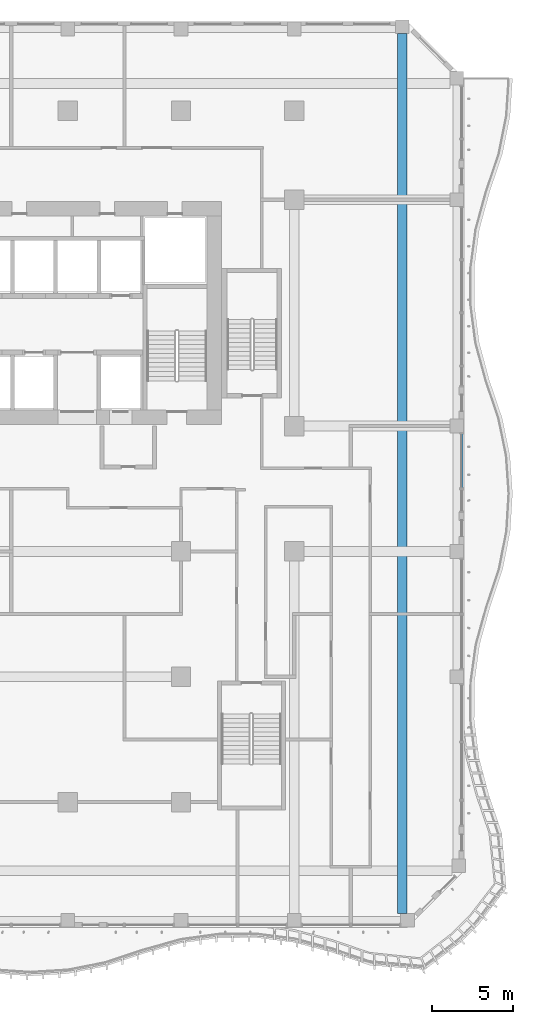
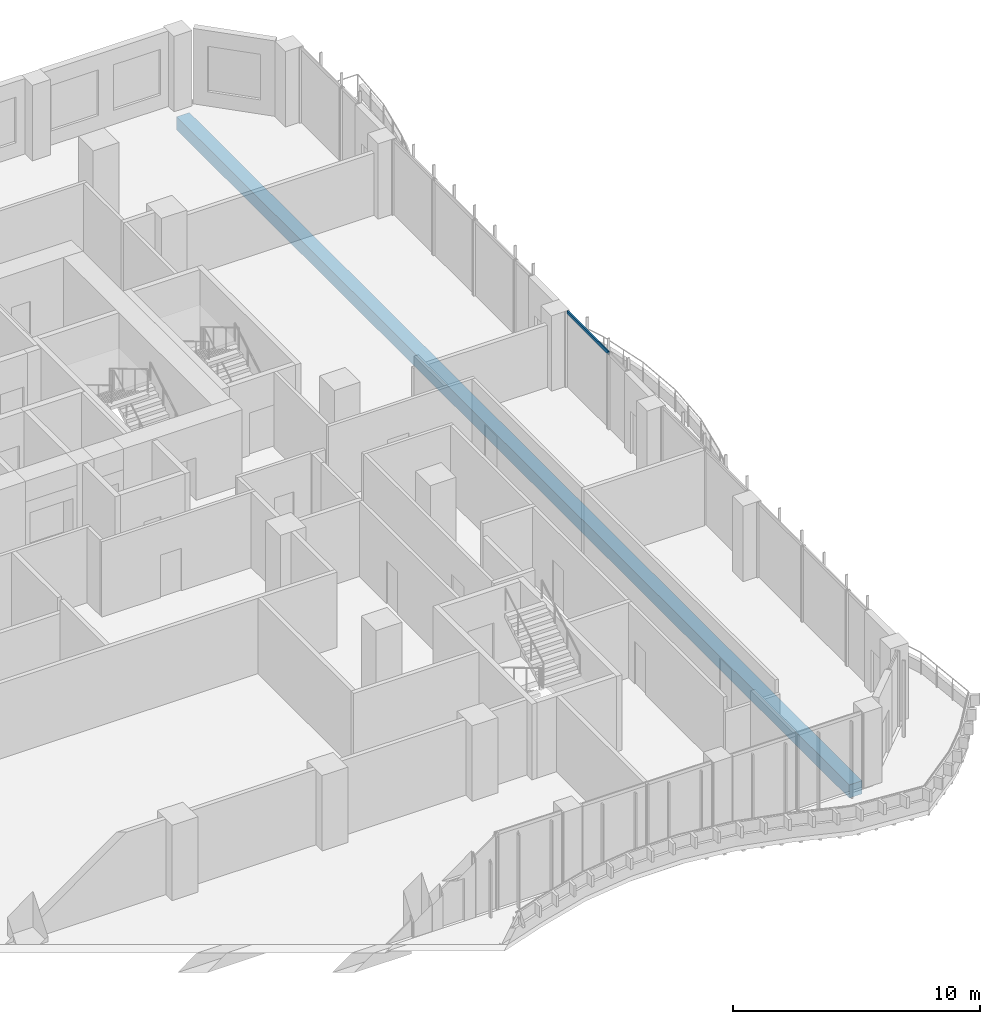
# One storey, part 7 of 27: 1 beam, 1 member, 1 element without a shape of its own.
"""IFC4 building model written with IfcOpenShell, lengths in metres."""

from ifc_helpers import new_model, si_unit, direction, frame, origin, origin_2d, place, context, subcontext, project, spatial, rectangle, extrude, source, transform, mapped, material, material_profile, profile_set, type_object, element, aggregate, save


model = new_model("IFC4")

# Units and contexts
model_context = context("Model", 3, precision=1e-05, world=origin(), true_north=direction((0.0, 1.0)))
body_context = subcontext(model_context, "Body", "Model", "MODEL_VIEW")
ifc_project = project(units=[si_unit("LENGTHUNIT", "METRE"), si_unit("AREAUNIT", "SQUARE_METRE"), si_unit("VOLUMEUNIT", "CUBIC_METRE"), si_unit("PLANEANGLEUNIT", "RADIAN"), si_unit("MASSUNIT", "GRAM", prefix="KILO")], contexts=[model_context])

# Site, building, storey
site_placement = place(None, origin())
site = spatial("IfcSite", under=ifc_project, at=site_placement, CompositionType="ELEMENT")
building_placement = place(site_placement, origin())
building = spatial("IfcBuilding", under=site, at=building_placement, Name="Kilnfold Tower and Market Hall", CompositionType="ELEMENT")
storey_placement = place(building_placement, frame((0.0, 0.0, 112.60009765625)))
storey = spatial("IfcBuildingStorey", under=building, at=storey_placement, Name="L26", CompositionType="ELEMENT", Elevation=112.60009765625)

# Beam
ifc_material_1 = material(Name="Concrete C45", Category="concrete")
ifc_material_profile_1 = material_profile(ifc_material_1, rectangle(XDim=0.60009765625, YDim=0.64990234375, at=origin_2d()), Name="RC 600x650")
ifc_profile_set_1 = profile_set([ifc_material_profile_1], Name="Concrete C45")
beam_type = type_object("IfcBeamType", Name="BEAM 600X650 C45", PredefinedType="BEAM", material=ifc_profile_set_1)
shared_shape_1 = source(origin(), body_context, "Body", "SweptSolid", [
    extrude(rectangle(XDim=0.60009765625, YDim=0.64990234375, at=origin_2d()), origin(), (0.0, 0.0, 1.0), 54.3818359375),
])
beam_placement = place(storey_placement, frame((29.179931640625, -22.125, -0.60498046875), z_axis=(0.0, 1.0, 0.0), x_axis=(-1.0, 0.0, 0.0)))
element("IfcBeam", 1, at=beam_placement, inside=storey, type_object=beam_type, Name="Beam BB650-B3.82", PredefinedType="BEAM", context=body_context, shape_type="MappedRepresentation", body=[
    mapped(shared_shape_1, transform((0.0, 0.0, 0.0))),
])

# Curtain wall, member
ifc_material_2 = material(Name="Aluminium and double glazing", Category="aluminium")
curtain_wall_type = type_object("IfcCurtainWallType", Name="CW OF2 VALLEY GLAZING", PredefinedType="NOTDEFINED", material=ifc_material_2)
curtain_wall_placement = place(storey_placement, origin())
curtain_wall = element("IfcCurtainWall", 2, at=curtain_wall_placement, inside=storey, type_object=curtain_wall_type, Name="Curtain wall CW2 L26 E", PredefinedType="NOTDEFINED")
ifc_material_3 = material(Name="Aluminium", Category="aluminium")
ifc_material_profile_2 = material_profile(ifc_material_3, rectangle(XDim=0.06005859375, YDim=0.159912109375, at=origin_2d()), Name="TRANSOM 60x160")
ifc_profile_set_2 = profile_set([ifc_material_profile_2], Name="Aluminium")
member_type = type_object("IfcMemberType", Name="TRANSOM 60X160", PredefinedType="USERDEFINED", material=ifc_profile_set_2)
shared_shape_2 = source(origin(), body_context, "Body", "SweptSolid", [
    extrude(rectangle(XDim=0.06005859375, YDim=0.159912109375, at=origin_2d()), origin(), (0.0, 0.0, 1.0), 3.329833984375),
])
member_placement = place(storey_placement, frame((32.85009765625, 4.18505859375, 3.68994140625), z_axis=(0.0, 1.0, 0.0), x_axis=(-1.0, 0.0, 0.0)))
member = element("IfcMember", 3, at=member_placement, type_object=member_type, Name="CW2 transom 1.2", ObjectType="TRANSOM", PredefinedType="USERDEFINED", context=body_context, shape_type="MappedRepresentation", body=[
    mapped(shared_shape_2, transform((0.0, 0.0, 0.0))),
])
aggregate(curtain_wall, [member])

save(model, "model.ifc")
